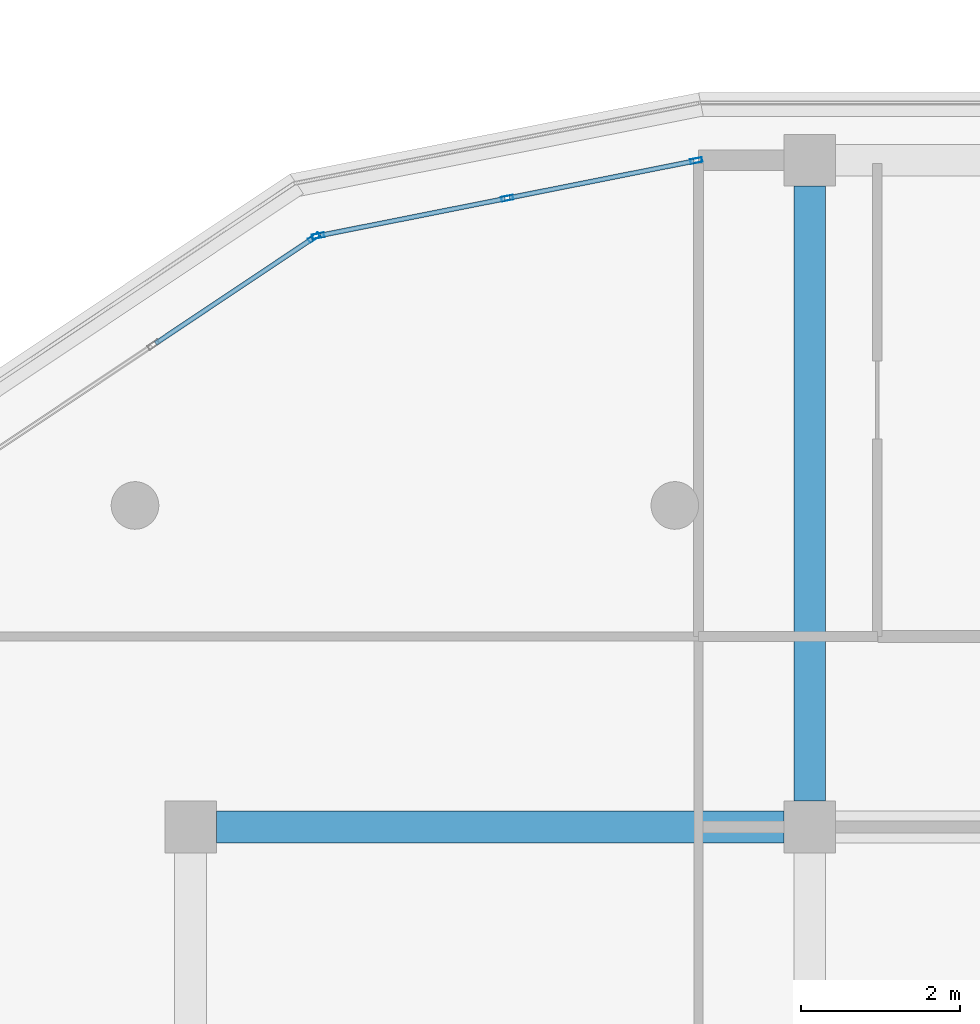
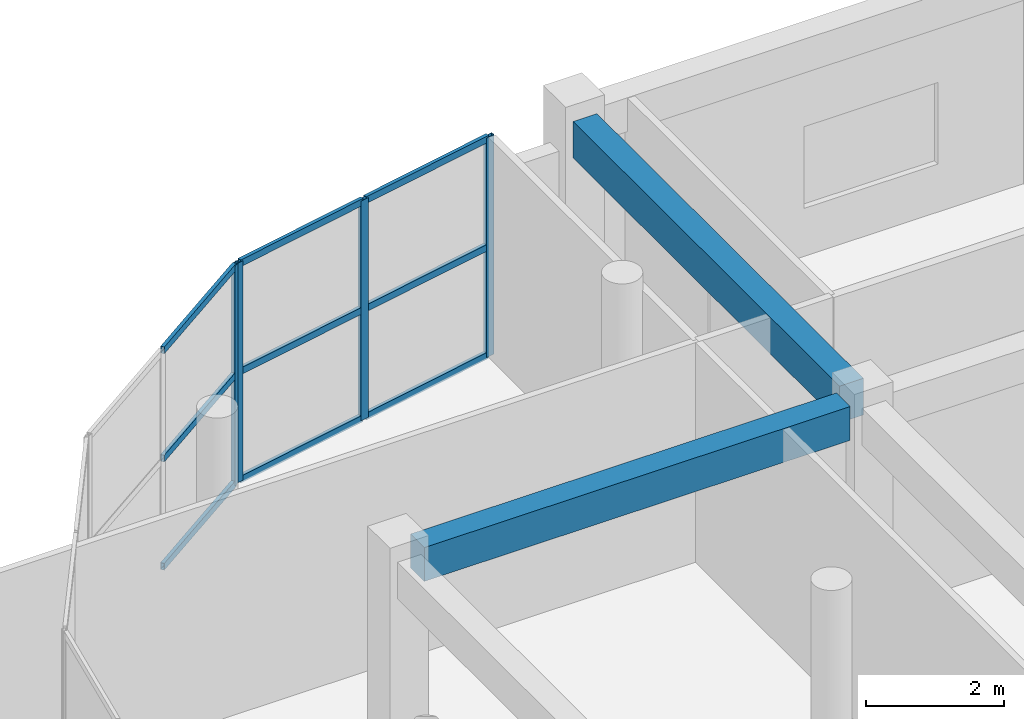
# One storey, part 9 of 57: 13 members, 2 beams, 2 elements without a shape of their own.
"""IFC4 building model written with IfcOpenShell, lengths in metres."""

from ifc_helpers import new_model, si_unit, direction, frame, origin, origin_2d, place, context, subcontext, project, spatial, rectangle, hollow_rectangle, extrude, material, layer, layer_set, material_profile, profile_set, type_object, element, aggregate, save


model = new_model("IFC4")

# Units and contexts
model_context = context("Model", 3, precision=1e-05, world=origin(), true_north=direction((0.0, 1.0)))
body_context = subcontext(model_context, "Body", "Model", "MODEL_VIEW")
ifc_project = project(units=[si_unit("LENGTHUNIT", "METRE"), si_unit("AREAUNIT", "SQUARE_METRE"), si_unit("VOLUMEUNIT", "CUBIC_METRE"), si_unit("PLANEANGLEUNIT", "RADIAN"), si_unit("MASSUNIT", "GRAM", prefix="KILO")], contexts=[model_context])

# Site, building, storey
site_placement = place(None, origin())
site = spatial("IfcSite", under=ifc_project, at=site_placement, CompositionType="ELEMENT")
building_placement = place(site_placement, origin())
building = spatial("IfcBuilding", under=site, at=building_placement, Name="Zizhar Promenade General Hospital", CompositionType="ELEMENT")
storey_placement = place(building_placement, frame((0.0, 0.0, 22.199951171875)))
storey = spatial("IfcBuildingStorey", under=building, at=storey_placement, Name="L05", CompositionType="ELEMENT", Elevation=22.199951171875)

# Beams
ifc_material_1 = material(Name="Concrete C35/45", Category="concrete")
ifc_material_profile_1 = material_profile(ifc_material_1, rectangle(XDim=0.39990234375, YDim=0.60009765625, at=origin_2d()))
ifc_profile_set_1 = profile_set([ifc_material_profile_1], Name="Concrete C35/45")
beam_type_1 = type_object("IfcBeamType", Name="BM-RC-400x600", PredefinedType="JOIST", material=ifc_profile_set_1)
beam_1_placement = place(storey_placement, frame((23.72509765625, 16.800048828125, 3.610107421875), z_axis=(1.0, 0.0, 0.0), x_axis=(0.0, 1.0, 0.0)))
element("IfcBeam", 1, at=beam_1_placement, inside=storey, type_object=beam_type_1, Name="Grid Beam X L05 (3-2)", PredefinedType="JOIST", context=body_context, shape_type="SweptSolid", body=[
    extrude(rectangle(XDim=0.39990234375, YDim=0.60009765625, at=origin_2d()), origin(), (0.0, 0.0, 1.0), 7.14990234375),
])
ifc_material_2 = material(Name="Concrete C35/45", Category="concrete")
ifc_material_profile_2 = material_profile(ifc_material_2, rectangle(XDim=0.39990234375, YDim=0.64990234375, at=origin_2d()))
ifc_profile_set_2 = profile_set([ifc_material_profile_2], Name="Concrete C35/45")
beam_type_2 = type_object("IfcBeamType", Name="BM-RC-400x650", PredefinedType="BEAM", material=ifc_profile_set_2)
beam_2_placement = place(storey_placement, frame((31.199951171875, 17.125, 3.5849609375), z_axis=(0.0, 1.0, 0.0), x_axis=(-1.0, 0.0, 0.0)))
element("IfcBeam", 2, at=beam_2_placement, inside=storey, type_object=beam_type_2, Name="Grid Beam Y L05 (4-2)", PredefinedType="BEAM", context=body_context, shape_type="SweptSolid", body=[
    extrude(rectangle(XDim=0.39990234375, YDim=0.64990234375, at=origin_2d()), origin(), (0.0, 0.0, 1.0), 7.75),
])

# Curtain wall, members
ifc_material_3 = material(Name="Anodised aluminium 6063-T6 and low-E glass", Category="aluminium")
ifc_layer = layer(ifc_material_3, 0.159912109375)
ifc_layer_set = layer_set([ifc_layer], Name="Anodised aluminium 6063-T6 and low-E glass")
curtain_wall_type = type_object("IfcCurtainWallType", Name="CW-WARD-ARC", PredefinedType="NOTDEFINED", material=ifc_layer_set)
curtain_wall_1_placement = place(storey_placement, origin())
curtain_wall_1 = element("IfcCurtainWall", 3, at=curtain_wall_1_placement, inside=storey, type_object=curtain_wall_type, Name="Ward Semicircular End Glazing L05-10", PredefinedType="NOTDEFINED")
ifc_material_4 = material(Name="Anodised aluminium 6063-T6", Category="aluminium")
ifc_material_profile_3 = material_profile(ifc_material_4, hollow_rectangle(XDim=0.06005859375, YDim=0.14990234375, WallThickness=0.00390625, at=origin_2d()))
ifc_profile_set_3 = profile_set([ifc_material_profile_3], Name="Anodised aluminium 6063-T6")
member_type_1 = type_object("IfcMemberType", Name="CWM-ALU-150x60", PredefinedType="MULLION", material=ifc_profile_set_3)
member_1_placement = place(storey_placement, frame((25.007568359375, 24.246826171875, 0.0), z_axis=(0.0, 0.0, 1.0), x_axis=(-0.195087259275, 0.980785889615, 0.0)))
member_1 = element("IfcMember", 4, at=member_1_placement, type_object=member_type_1, Name="CW-12 mullion 1", PredefinedType="MULLION", context=body_context, shape_type="SweptSolid", body=[
    extrude(hollow_rectangle(XDim=0.06005859375, YDim=0.14990234375, WallThickness=0.00390625, at=origin_2d()), origin(), (0.0, 0.0, 1.0), 3.900146484375),
])
member_2_placement = place(storey_placement, frame((27.38916015625, 24.720458984375, 0.0), z_axis=(0.0, 0.0, 1.0), x_axis=(-0.195087259275, 0.980785889615, 0.0)))
member_2 = element("IfcMember", 5, at=member_2_placement, type_object=member_type_1, Name="CW-12 mullion 2", PredefinedType="MULLION", context=body_context, shape_type="SweptSolid", body=[
    extrude(hollow_rectangle(XDim=0.06005859375, YDim=0.14990234375, WallThickness=0.00390625, at=origin_2d()), origin(), (0.0, 0.0, 1.0), 3.900146484375),
])
member_3_placement = place(storey_placement, frame((29.7705078125, 25.194091796875, 0.0), z_axis=(0.0, 0.0, 1.0), x_axis=(-0.195087259275, 0.980785889615, 0.0)))
member_3 = element("IfcMember", 6, at=member_3_placement, type_object=member_type_1, Name="CW-12 mullion 3", PredefinedType="MULLION", context=body_context, shape_type="SweptSolid", body=[
    extrude(hollow_rectangle(XDim=0.06005859375, YDim=0.14990234375, WallThickness=0.00390625, at=origin_2d()), origin(), (0.0, 0.0, 1.0), 3.900146484375),
])

# Curtain wall, member
curtain_wall_2_placement = place(storey_placement, origin())
curtain_wall_2 = element("IfcCurtainWall", 7, at=curtain_wall_2_placement, inside=storey, type_object=curtain_wall_type, Name="Ward Semicircular End Glazing L05-11", PredefinedType="NOTDEFINED")
member_4_placement = place(storey_placement, frame((24.953369140625, 24.22412109375, 0.0), z_axis=(0.0, 0.0, 1.0), x_axis=(-0.555582352095, 0.831461514468, 0.0)))
member_4 = element("IfcMember", 8, at=member_4_placement, type_object=member_type_1, Name="CW-12 mullion 3", PredefinedType="MULLION", context=body_context, shape_type="SweptSolid", body=[
    extrude(hollow_rectangle(XDim=0.06005859375, YDim=0.14990234375, WallThickness=0.00390625, at=origin_2d()), origin(), (0.0, 0.0, 1.0), 3.900146484375),
])

# Member
ifc_material_5 = material(Name="Anodised aluminium 6063-T6", Category="aluminium")
ifc_material_profile_4 = material_profile(ifc_material_5, hollow_rectangle(XDim=0.06005859375, YDim=0.1201171875, WallThickness=0.00390625, at=origin_2d()))
ifc_profile_set_4 = profile_set([ifc_material_profile_4], Name="Anodised aluminium 6063-T6")
member_type_2 = type_object("IfcMemberType", Name="CWT-ALU-120x60", PredefinedType="USERDEFINED", material=ifc_profile_set_4)
member_5_placement = place(storey_placement, frame((25.037109375, 24.252685546875, 0.030029296875), z_axis=(0.980790278018, 0.195065195628, 0.0), x_axis=(-0.195065195628, 0.980790278018, 0.0)))
member_5 = element("IfcMember", 9, at=member_5_placement, type_object=member_type_2, Name="CW-12 transom 1.1", ObjectType="TRANSOM", PredefinedType="USERDEFINED", context=body_context, shape_type="SweptSolid", body=[
    extrude(hollow_rectangle(XDim=0.06005859375, YDim=0.1201171875, WallThickness=0.00390625, at=origin_2d()), origin(), (0.0, 0.0, 1.0), 2.367919921875),
])

member_6_placement = place(storey_placement, frame((25.037109375, 24.252685546875, 1.949951171875), z_axis=(0.980790278018, 0.195065195628, 0.0), x_axis=(-0.195065195628, 0.980790278018, 0.0)))
member_6 = element("IfcMember", 10, at=member_6_placement, type_object=member_type_2, Name="CW-12 transom 1.2", ObjectType="TRANSOM", PredefinedType="USERDEFINED", context=body_context, shape_type="SweptSolid", body=[
    extrude(hollow_rectangle(XDim=0.06005859375, YDim=0.1201171875, WallThickness=0.00390625, at=origin_2d()), origin(), (0.0, 0.0, 1.0), 2.367919921875),
])

member_7_placement = place(storey_placement, frame((25.037109375, 24.252685546875, 3.8701171875), z_axis=(0.980790278018, 0.195065195628, 0.0), x_axis=(-0.195065195628, 0.980790278018, 0.0)))
member_7 = element("IfcMember", 11, at=member_7_placement, type_object=member_type_2, Name="CW-12 transom 1.3", ObjectType="TRANSOM", PredefinedType="USERDEFINED", context=body_context, shape_type="SweptSolid", body=[
    extrude(hollow_rectangle(XDim=0.06005859375, YDim=0.1201171875, WallThickness=0.00390625, at=origin_2d()), origin(), (0.0, 0.0, 1.0), 2.367919921875),
])

member_8_placement = place(storey_placement, frame((27.41845703125, 24.726318359375, 0.030029296875), z_axis=(0.980794200422, 0.195045472693, 0.0), x_axis=(-0.195045472693, 0.980794200422, 0.0)))
member_8 = element("IfcMember", 12, at=member_8_placement, type_object=member_type_2, Name="CW-12 transom 2.1", ObjectType="TRANSOM", PredefinedType="USERDEFINED", context=body_context, shape_type="SweptSolid", body=[
    extrude(hollow_rectangle(XDim=0.06005859375, YDim=0.1201171875, WallThickness=0.00390625, at=origin_2d()), origin(), (0.0, 0.0, 1.0), 2.3681640625),
])

member_9_placement = place(storey_placement, frame((27.41845703125, 24.726318359375, 1.949951171875), z_axis=(0.980794200422, 0.195045472693, 0.0), x_axis=(-0.195045472693, 0.980794200422, 0.0)))
member_9 = element("IfcMember", 13, at=member_9_placement, type_object=member_type_2, Name="CW-12 transom 2.2", ObjectType="TRANSOM", PredefinedType="USERDEFINED", context=body_context, shape_type="SweptSolid", body=[
    extrude(hollow_rectangle(XDim=0.06005859375, YDim=0.1201171875, WallThickness=0.00390625, at=origin_2d()), origin(), (0.0, 0.0, 1.0), 2.3681640625),
])

member_10_placement = place(storey_placement, frame((27.41845703125, 24.726318359375, 3.8701171875), z_axis=(0.980794200422, 0.195045472693, 0.0), x_axis=(-0.195045472693, 0.980794200422, 0.0)))
member_10 = element("IfcMember", 14, at=member_10_placement, type_object=member_type_2, Name="CW-12 transom 2.3", ObjectType="TRANSOM", PredefinedType="USERDEFINED", context=body_context, shape_type="SweptSolid", body=[
    extrude(hollow_rectangle(XDim=0.06005859375, YDim=0.1201171875, WallThickness=0.00390625, at=origin_2d()), origin(), (0.0, 0.0, 1.0), 2.3681640625),
])

aggregate(curtain_wall_1, [member_1, member_2, member_3, member_5, member_6, member_7, member_8, member_9, member_10])

member_11_placement = place(storey_placement, frame((22.959228515625, 22.891845703125, 0.030029296875), z_axis=(0.831462978956, 0.555580160396, 0.0), x_axis=(-0.555580160396, 0.831462978956, 0.0)))
member_11 = element("IfcMember", 15, at=member_11_placement, type_object=member_type_2, Name="CW-12 transom 2.1", ObjectType="TRANSOM", PredefinedType="USERDEFINED", context=body_context, shape_type="SweptSolid", body=[
    extrude(hollow_rectangle(XDim=0.06005859375, YDim=0.1201171875, WallThickness=0.00390625, at=origin_2d()), origin(), (0.0, 0.0, 1.0), 2.3681640625),
])

member_12_placement = place(storey_placement, frame((22.959228515625, 22.891845703125, 1.949951171875), z_axis=(0.831462978956, 0.555580160396, 0.0), x_axis=(-0.555580160396, 0.831462978956, 0.0)))
member_12 = element("IfcMember", 16, at=member_12_placement, type_object=member_type_2, Name="CW-12 transom 2.2", ObjectType="TRANSOM", PredefinedType="USERDEFINED", context=body_context, shape_type="SweptSolid", body=[
    extrude(hollow_rectangle(XDim=0.06005859375, YDim=0.1201171875, WallThickness=0.00390625, at=origin_2d()), origin(), (0.0, 0.0, 1.0), 2.3681640625),
])

member_13_placement = place(storey_placement, frame((22.959228515625, 22.891845703125, 3.8701171875), z_axis=(0.831462978956, 0.555580160396, 0.0), x_axis=(-0.555580160396, 0.831462978956, 0.0)))
member_13 = element("IfcMember", 17, at=member_13_placement, type_object=member_type_2, Name="CW-12 transom 2.3", ObjectType="TRANSOM", PredefinedType="USERDEFINED", context=body_context, shape_type="SweptSolid", body=[
    extrude(hollow_rectangle(XDim=0.06005859375, YDim=0.1201171875, WallThickness=0.00390625, at=origin_2d()), origin(), (0.0, 0.0, 1.0), 2.3681640625),
])

aggregate(curtain_wall_2, [member_4, member_11, member_12, member_13])

save(model, "model.ifc")
